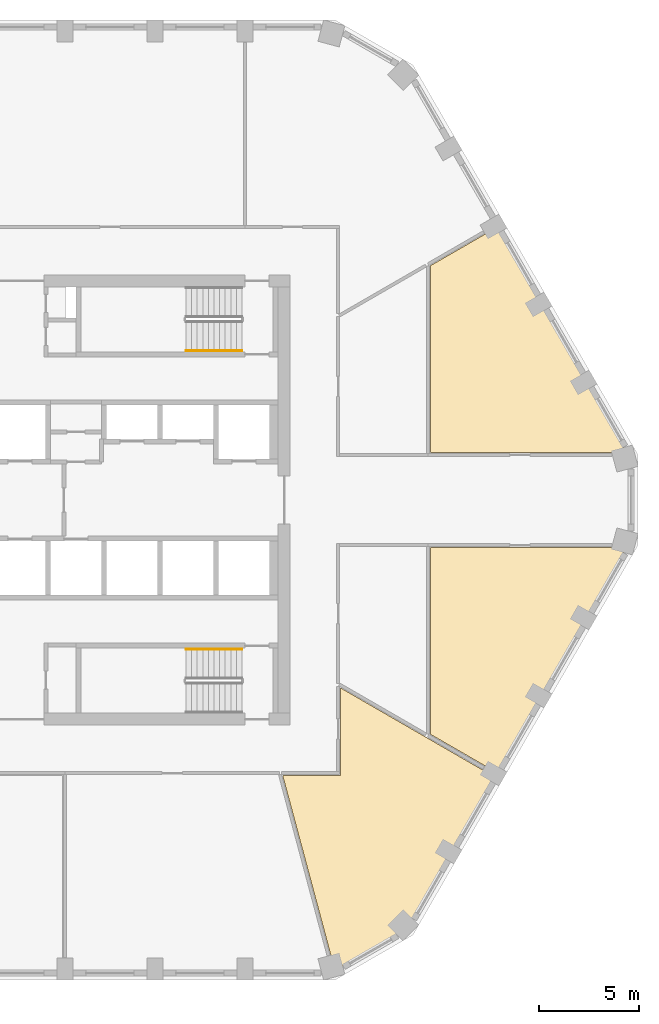
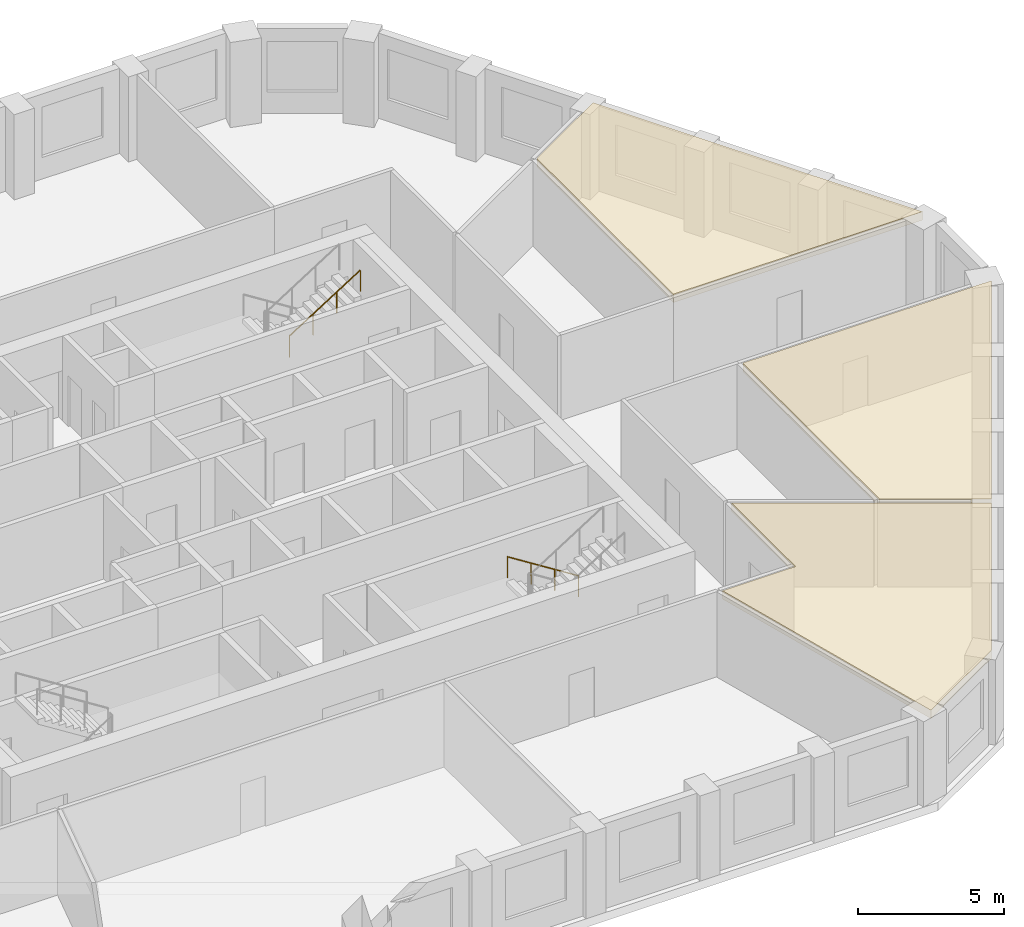
# One storey, part 10 of 11: 3 coverings, 2 railings.
"""IFC4 building model written with IfcOpenShell, lengths in metres."""

from ifc_helpers import new_model, si_unit, direction, frame, origin, origin_2d, place, context, subcontext, project, spatial, polyline, circle, outline, extrude, material, layer, layer_set, type_object, element, save


model = new_model("IFC4")

# Units and contexts
model_context = context("Model", 3, precision=1e-05, world=origin(), true_north=direction((0.0, 1.0)))
body_context = subcontext(model_context, "Body", "Model", "MODEL_VIEW")
ifc_project = project(units=[si_unit("LENGTHUNIT", "METRE"), si_unit("AREAUNIT", "SQUARE_METRE"), si_unit("VOLUMEUNIT", "CUBIC_METRE"), si_unit("PLANEANGLEUNIT", "RADIAN"), si_unit("MASSUNIT", "GRAM", prefix="KILO")], contexts=[model_context])

# Site, building, storey
site_placement = place(None, origin())
site = spatial("IfcSite", under=ifc_project, at=site_placement, CompositionType="ELEMENT")
building_placement = place(site_placement, origin())
building = spatial("IfcBuilding", under=site, at=building_placement, Name="Dhurran Vertical Campus", CompositionType="ELEMENT")
storey_placement = place(building_placement, frame((0.0, 0.0, 211.199951171875)))
storey = spatial("IfcBuildingStorey", under=building, at=storey_placement, Name="L52", CompositionType="ELEMENT", Elevation=211.199951171875)

# Railings
ifc_material_1 = material(Name="Stainless steel handrail", Category="steel")
railing_type = type_object("IfcRailingType", Name="co-RL-HANDRAIL-900", PredefinedType="HANDRAIL", material=ifc_material_1)
railing_1_placement = place(storey_placement, frame((8.300048828125, 7.449951171875, 2.12744140625)))
element("IfcRailing", 1, at=railing_1_placement, inside=storey, type_object=railing_type, Name="L52 ST2 stair handrail 2", PredefinedType="HANDRAIL", context=body_context, shape_type="SweptSolid", body=[
    extrude(circle(Radius=0.02392578125, at=origin_2d()), frame((0.0, 0.0, 0.8759765625), z_axis=(0.844908973607, 0.0, 0.534910110503), x_axis=(0.0, 1.0, 0.0)), (0.0, 0.0, 1.0), 3.31396484375),
    extrude(circle(Radius=0.02099609375, at=origin_2d()), origin(), (0.0, 0.0, 1.0), 0.851806640625),
    extrude(circle(Radius=0.02099609375, at=origin_2d()), frame((0.933349609375, 0.0, 0.5908203125)), (0.0, 0.0, 1.0), 0.851806640625),
    extrude(circle(Radius=0.02099609375, at=origin_2d()), frame((1.86669921875, 0.0, 1.181884765625)), (0.0, 0.0, 1.0), 0.851806640625),
    extrude(circle(Radius=0.02099609375, at=origin_2d()), frame((2.800048828125, 0.0, 1.772705078125)), (0.0, 0.0, 1.0), 0.851806640625),
])
railing_2_placement = place(storey_placement, frame((11.10009765625, -7.449951171875, 0.17724609375)))
element("IfcRailing", 2, at=railing_2_placement, inside=storey, type_object=railing_type, Name="L52 ST4 stair handrail 1", PredefinedType="HANDRAIL", context=body_context, shape_type="SweptSolid", body=[
    extrude(circle(Radius=0.02392578125, at=origin_2d()), frame((0.0, 0.0, 0.8759765625), z_axis=(-0.844908973607, 0.0, 0.534910110503), x_axis=(0.0, -1.0, 0.0)), (0.0, 0.0, 1.0), 3.31396484375),
    extrude(circle(Radius=0.02099609375, at=origin_2d()), origin(), (0.0, 0.0, 1.0), 0.851806640625),
    extrude(circle(Radius=0.02099609375, at=origin_2d()), frame((-0.933349609375, 0.0, 0.5908203125)), (0.0, 0.0, 1.0), 0.851806640625),
    extrude(circle(Radius=0.02099609375, at=origin_2d()), frame((-1.86669921875, 0.0, 1.181884765625)), (0.0, 0.0, 1.0), 0.851806640625),
    extrude(circle(Radius=0.02099609375, at=origin_2d()), frame((-2.800048828125, 0.0, 1.772705078125)), (0.0, 0.0, 1.0), 0.851806640625),
])

# Coverings
ifc_material_2 = material(Name="Mineral fibre ceiling tiles on suspended grid")
ifc_layer = layer(ifc_material_2, 0.35009765625)
ifc_layer_set = layer_set([ifc_layer], Name="Mineral fibre ceiling tiles on suspended grid")
covering_type = type_object("IfcCoveringType", Name="fl-CE-350 suspended ceiling", PredefinedType="CEILING", material=ifc_layer_set)
covering_1_placement = place(storey_placement, frame((0.0, 0.0, 3.199951171875)))
element("IfcCovering", 3, at=covering_1_placement, inside=storey, type_object=covering_type, Name="Ceiling 52-15", PredefinedType="CEILING", context=body_context, shape_type="SweptSolid", body=[
    extrude(outline(polyline([(23.722900390625, -13.8349609375), (19.339111328125, -21.427978515625), (15.7451171875, -23.50390625), (13.136962890625, -13.77001953125), (16.02001953125, -13.77001953125), (16.02001953125, -9.387939453125), (23.722900390625, -13.8349609375)])), origin(), (0.0, 0.0, 1.0), 0.35009765625),
])
covering_2_placement = place(storey_placement, frame((0.0, 0.0, 3.199951171875)))
element("IfcCovering", 4, at=covering_2_placement, inside=storey, type_object=covering_type, Name="Ceiling 52-18", PredefinedType="CEILING", context=body_context, shape_type="SweptSolid", body=[
    extrude(outline(polyline([(23.843017578125, -13.626953125), (20.52001953125, -11.708984375), (20.52001953125, -2.3701171875), (30.343017578125, -2.3701171875), (27.0458984375, -8.080078125), (23.843017578125, -13.626953125)])), origin(), (0.0, 0.0, 1.0), 0.35009765625),
])
covering_3_placement = place(storey_placement, frame((0.0, 0.0, 3.199951171875)))
element("IfcCovering", 5, at=covering_3_placement, inside=storey, type_object=covering_type, Name="Ceiling 52-19", PredefinedType="CEILING", context=body_context, shape_type="SweptSolid", body=[
    extrude(outline(polyline([(30.343017578125, 2.3701171875), (20.52001953125, 2.3701171875), (20.52001953125, 11.708984375), (23.843017578125, 13.626953125), (27.0458984375, 8.080078125), (30.343017578125, 2.3701171875)])), origin(), (0.0, 0.0, 1.0), 0.35009765625),
])

save(model, "model.ifc")
